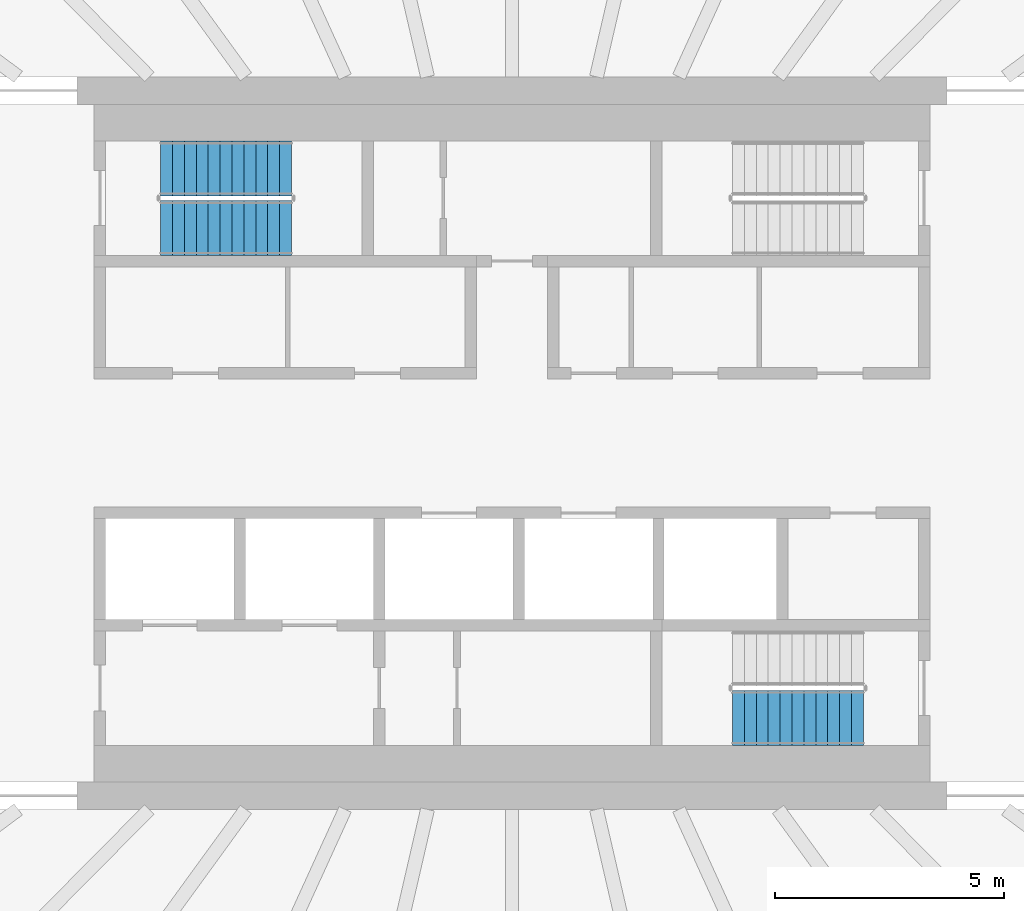
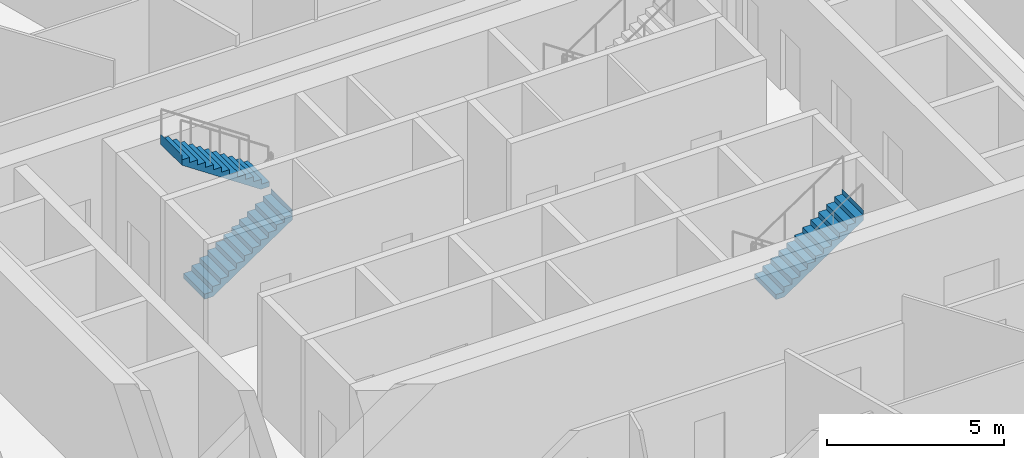
# One storey, part 18 of 26: 3 stair flights, 2 elements without a shape of their own.
"""IFC4 building model written with IfcOpenShell, lengths in metres."""

from ifc_helpers import new_model, si_unit, direction, frame, origin, place, context, subcontext, project, spatial, triangles, material, type_object, element, aggregate, save


model = new_model("IFC4")

# Units and contexts
model_context = context("Model", 3, precision=1e-05, world=origin(), true_north=direction((0.0, 1.0)))
body_context = subcontext(model_context, "Body", "Model", "MODEL_VIEW")
ifc_project = project(units=[si_unit("LENGTHUNIT", "METRE"), si_unit("AREAUNIT", "SQUARE_METRE"), si_unit("VOLUMEUNIT", "CUBIC_METRE"), si_unit("PLANEANGLEUNIT", "RADIAN"), si_unit("MASSUNIT", "GRAM", prefix="KILO")], contexts=[model_context])

# Site, building, storey
site_placement = place(None, origin())
site = spatial("IfcSite", under=ifc_project, at=site_placement, CompositionType="ELEMENT")
building_placement = place(site_placement, origin())
building = spatial("IfcBuilding", under=site, at=building_placement, Name="Sahrelin Media Tower", CompositionType="ELEMENT")
storey_placement = place(building_placement, frame((0.0, 0.0, 102.0)))
storey = spatial("IfcBuildingStorey", under=building, at=storey_placement, Name="L19", CompositionType="ELEMENT", Elevation=102.0)

# Stair, stair flights
ifc_material = material(Name="Concrete C40/50", Category="concrete")
stair_type = type_object("IfcStairType", Name="Exit stair 1200", PredefinedType="HALF_TURN_STAIR", material=ifc_material)
placement = place(storey_placement, origin())
stair_1 = element("IfcStair", 1, at=placement, inside=storey, type_object=stair_type, Name="L19 Exit stair ST1", PredefinedType="HALF_TURN_STAIR")
stair_flight_type = type_object("IfcStairFlightType", Name="Stair flight 1200", PredefinedType="STRAIGHT", material=ifc_material)
stair_flight_1_placement = place(storey_placement, frame((-7.675048828125, 4.699951171875, 0.0), z_axis=(0.0, 0.0, 1.0), x_axis=(1.0, 0.0, 0.0)))
stair_flight_1 = element("IfcStairFlight", 2, at=stair_flight_1_placement, type_object=stair_flight_type, Name="ST1 flight 1", NumberOfRisers=12, NumberOfTreads=11, PredefinedType="STRAIGHT", RiserHeight=0.175, TreadLength=0.26, context=body_context, shape_type="Tessellation", body=[
    triangles([(0.2685546875, 0.60009765625, 0.0), (0.2685546875, 0.300048828125, 0.0), (0.2685546875, 0.0, 0.0), (0.2685546875, -0.300048828125, 0.0), (0.2685546875, -0.60009765625, 0.0), (2.860107421875, 0.60009765625, 1.744384765625), (2.860107421875, 0.300048828125, 1.744384765625), (2.860107421875, 0.0, 1.744384765625), (2.860107421875, -0.300048828125, 1.744384765625), (2.860107421875, -0.60009765625, 1.744384765625), (2.860107421875, 0.60009765625, 2.10009765625), (2.860107421875, 0.300048828125, 2.10009765625), (2.860107421875, 0.0, 2.10009765625), (2.860107421875, -0.300048828125, 2.10009765625), (2.860107421875, -0.60009765625, 2.10009765625), (2.85791015625, 0.60009765625, 2.10009765625), (2.85791015625, 0.300048828125, 2.10009765625), (2.85791015625, 0.0, 2.10009765625), (2.85791015625, -0.300048828125, 2.10009765625), (2.85791015625, -0.60009765625, 2.10009765625), (2.85791015625, 0.60009765625, 1.925048828125), (2.85791015625, 0.300048828125, 1.925048828125), (2.85791015625, 0.0, 1.925048828125), (2.85791015625, -0.300048828125, 1.925048828125), (2.85791015625, -0.60009765625, 1.925048828125), (2.60009765625, 0.60009765625, 1.925048828125), (2.60009765625, 0.300048828125, 1.925048828125), (2.60009765625, 0.0, 1.925048828125), (2.60009765625, -0.300048828125, 1.925048828125), (2.60009765625, -0.60009765625, 1.925048828125), (2.60009765625, 0.60009765625, 1.75), (2.60009765625, 0.300048828125, 1.75), (2.60009765625, 0.0, 1.75), (2.60009765625, -0.300048828125, 1.75), (2.60009765625, -0.60009765625, 1.75), (2.340087890625, 0.60009765625, 1.75), (2.340087890625, 0.300048828125, 1.75), (2.340087890625, 0.0, 1.75), (2.340087890625, -0.300048828125, 1.75), (2.340087890625, -0.60009765625, 1.75), (2.340087890625, 0.60009765625, 1.574951171875), (2.340087890625, 0.300048828125, 1.574951171875), (2.340087890625, 0.0, 1.574951171875), (2.340087890625, -0.300048828125, 1.574951171875), (2.340087890625, -0.60009765625, 1.574951171875), (2.080078125, 0.60009765625, 1.574951171875), (2.080078125, 0.300048828125, 1.574951171875), (2.080078125, 0.0, 1.574951171875), (2.080078125, -0.300048828125, 1.574951171875), (2.080078125, -0.60009765625, 1.574951171875), (2.080078125, 0.60009765625, 1.39990234375), (2.080078125, 0.300048828125, 1.39990234375), (2.080078125, 0.0, 1.39990234375), (2.080078125, -0.300048828125, 1.39990234375), (2.080078125, -0.60009765625, 1.39990234375), (1.820068359375, 0.60009765625, 1.39990234375), (1.820068359375, 0.300048828125, 1.39990234375), (1.820068359375, 0.0, 1.39990234375), (1.820068359375, -0.300048828125, 1.39990234375), (1.820068359375, -0.60009765625, 1.39990234375), (1.820068359375, 0.60009765625, 1.22509765625), (1.820068359375, 0.300048828125, 1.22509765625), (1.820068359375, 0.0, 1.22509765625), (1.820068359375, -0.300048828125, 1.22509765625), (1.820068359375, -0.60009765625, 1.22509765625), (1.56005859375, 0.60009765625, 1.22509765625), (1.56005859375, 0.300048828125, 1.22509765625), (1.56005859375, 0.0, 1.22509765625), (1.56005859375, -0.300048828125, 1.22509765625), (1.56005859375, -0.60009765625, 1.22509765625), (1.56005859375, 0.60009765625, 1.050048828125), (1.56005859375, 0.300048828125, 1.050048828125), (1.56005859375, 0.0, 1.050048828125), (1.56005859375, -0.300048828125, 1.050048828125), (1.56005859375, -0.60009765625, 1.050048828125), (1.300048828125, 0.60009765625, 1.050048828125), (1.300048828125, 0.300048828125, 1.050048828125), (1.300048828125, 0.0, 1.050048828125), (1.300048828125, -0.300048828125, 1.050048828125), (1.300048828125, -0.60009765625, 1.050048828125), (1.300048828125, 0.60009765625, 0.875), (1.300048828125, 0.300048828125, 0.875), (1.300048828125, 0.0, 0.875), (1.300048828125, -0.300048828125, 0.875), (1.300048828125, -0.60009765625, 0.875), (1.0400390625, 0.60009765625, 0.875), (1.0400390625, 0.300048828125, 0.875), (1.0400390625, 0.0, 0.875), (1.0400390625, -0.300048828125, 0.875), (1.0400390625, -0.60009765625, 0.875), (1.0400390625, 0.60009765625, 0.699951171875), (1.0400390625, 0.300048828125, 0.699951171875), (1.0400390625, 0.0, 0.699951171875), (1.0400390625, -0.300048828125, 0.699951171875), (1.0400390625, -0.60009765625, 0.699951171875), (0.780029296875, 0.60009765625, 0.699951171875), (0.780029296875, 0.300048828125, 0.699951171875), (0.780029296875, 0.0, 0.699951171875), (0.780029296875, -0.300048828125, 0.699951171875), (0.780029296875, -0.60009765625, 0.699951171875), (0.780029296875, 0.60009765625, 0.52490234375), (0.780029296875, 0.300048828125, 0.52490234375), (0.780029296875, 0.0, 0.52490234375), (0.780029296875, -0.300048828125, 0.52490234375), (0.780029296875, -0.60009765625, 0.52490234375), (0.52001953125, 0.60009765625, 0.52490234375), (0.52001953125, 0.300048828125, 0.52490234375), (0.52001953125, 0.0, 0.52490234375), (0.52001953125, -0.300048828125, 0.52490234375), (0.52001953125, -0.60009765625, 0.52490234375), (0.52001953125, 0.60009765625, 0.35009765625), (0.52001953125, 0.300048828125, 0.35009765625), (0.52001953125, 0.0, 0.35009765625), (0.52001953125, -0.300048828125, 0.35009765625), (0.52001953125, -0.60009765625, 0.35009765625), (0.260009765625, 0.60009765625, 0.35009765625), (0.260009765625, 0.300048828125, 0.35009765625), (0.260009765625, 0.0, 0.35009765625), (0.260009765625, -0.300048828125, 0.35009765625), (0.260009765625, -0.60009765625, 0.35009765625), (0.260009765625, 0.60009765625, 0.175048828125), (0.260009765625, 0.300048828125, 0.175048828125), (0.260009765625, 0.0, 0.175048828125), (0.260009765625, -0.300048828125, 0.175048828125), (0.260009765625, -0.60009765625, 0.175048828125), (0.0, 0.60009765625, 0.175048828125), (0.0, 0.300048828125, 0.175048828125), (0.0, 0.0, 0.175048828125), (0.0, -0.300048828125, 0.175048828125), (0.0, -0.60009765625, 0.175048828125), (0.0, 0.60009765625, 0.0), (0.0, 0.300048828125, 0.0), (0.0, 0.0, 0.0), (0.0, -0.300048828125, 0.0), (0.0, -0.60009765625, 0.0)], [[1, 6, 7], [1, 7, 2], [2, 7, 8], [2, 8, 3], [3, 8, 9], [3, 9, 4], [4, 9, 10], [4, 10, 5], [6, 11, 12], [6, 12, 7], [7, 12, 13], [7, 13, 8], [8, 13, 14], [8, 14, 9], [9, 14, 15], [9, 15, 10], [11, 16, 17], [11, 17, 12], [12, 17, 18], [12, 18, 13], [13, 18, 19], [13, 19, 14], [14, 19, 20], [14, 20, 15], [16, 21, 22], [16, 22, 17], [17, 22, 23], [17, 23, 18], [18, 23, 24], [18, 24, 19], [19, 24, 25], [19, 25, 20], [21, 26, 27], [21, 27, 22], [22, 27, 28], [22, 28, 23], [23, 28, 29], [23, 29, 24], [24, 29, 30], [24, 30, 25], [26, 31, 32], [26, 32, 27], [27, 32, 33], [27, 33, 28], [28, 33, 34], [28, 34, 29], [29, 34, 35], [29, 35, 30], [31, 36, 37], [31, 37, 32], [32, 37, 38], [32, 38, 33], [33, 38, 39], [33, 39, 34], [34, 39, 40], [34, 40, 35], [36, 41, 42], [36, 42, 37], [37, 42, 43], [37, 43, 38], [38, 43, 44], [38, 44, 39], [39, 44, 45], [39, 45, 40], [41, 46, 47], [41, 47, 42], [42, 47, 48], [42, 48, 43], [43, 48, 49], [43, 49, 44], [44, 49, 50], [44, 50, 45], [46, 51, 52], [46, 52, 47], [47, 52, 53], [47, 53, 48], [48, 53, 54], [48, 54, 49], [49, 54, 55], [49, 55, 50], [51, 56, 57], [51, 57, 52], [52, 57, 58], [52, 58, 53], [53, 58, 59], [53, 59, 54], [54, 59, 60], [54, 60, 55], [56, 61, 62], [56, 62, 57], [57, 62, 63], [57, 63, 58], [58, 63, 64], [58, 64, 59], [59, 64, 65], [59, 65, 60], [61, 66, 67], [61, 67, 62], [62, 67, 68], [62, 68, 63], [63, 68, 69], [63, 69, 64], [64, 69, 70], [64, 70, 65], [66, 71, 72], [66, 72, 67], [67, 72, 73], [67, 73, 68], [68, 73, 74], [68, 74, 69], [69, 74, 75], [69, 75, 70], [71, 76, 77], [71, 77, 72], [72, 77, 78], [72, 78, 73], [73, 78, 79], [73, 79, 74], [74, 79, 80], [74, 80, 75], [76, 81, 82], [76, 82, 77], [77, 82, 83], [77, 83, 78], [78, 83, 84], [78, 84, 79], [79, 84, 85], [79, 85, 80], [81, 86, 87], [81, 87, 82], [82, 87, 88], [82, 88, 83], [83, 88, 89], [83, 89, 84], [84, 89, 90], [84, 90, 85], [86, 91, 92], [86, 92, 87], [87, 92, 93], [87, 93, 88], [88, 93, 94], [88, 94, 89], [89, 94, 95], [89, 95, 90], [91, 96, 97], [91, 97, 92], [92, 97, 98], [92, 98, 93], [93, 98, 99], [93, 99, 94], [94, 99, 100], [94, 100, 95], [96, 101, 102], [96, 102, 97], [97, 102, 103], [97, 103, 98], [98, 103, 104], [98, 104, 99], [99, 104, 105], [99, 105, 100], [101, 106, 107], [101, 107, 102], [102, 107, 108], [102, 108, 103], [103, 108, 109], [103, 109, 104], [104, 109, 110], [104, 110, 105], [106, 111, 112], [106, 112, 107], [107, 112, 113], [107, 113, 108], [108, 113, 114], [108, 114, 109], [109, 114, 115], [109, 115, 110], [111, 116, 117], [111, 117, 112], [112, 117, 118], [112, 118, 113], [113, 118, 119], [113, 119, 114], [114, 119, 120], [114, 120, 115], [116, 121, 122], [116, 122, 117], [117, 122, 123], [117, 123, 118], [118, 123, 124], [118, 124, 119], [119, 124, 125], [119, 125, 120], [121, 126, 127], [121, 127, 122], [122, 127, 128], [122, 128, 123], [123, 128, 129], [123, 129, 124], [124, 129, 130], [124, 130, 125], [126, 131, 132], [126, 132, 127], [127, 132, 133], [127, 133, 128], [128, 133, 134], [128, 134, 129], [129, 134, 135], [129, 135, 130], [131, 1, 2], [131, 2, 132], [132, 2, 3], [132, 3, 133], [133, 3, 4], [133, 4, 134], [134, 4, 5], [134, 5, 135], [125, 130, 135], [121, 131, 126], [125, 115, 120], [121, 116, 111], [115, 105, 110], [111, 106, 101], [105, 95, 100], [101, 96, 91], [95, 85, 90], [91, 86, 81], [85, 75, 80], [81, 76, 71], [75, 65, 70], [71, 66, 61], [65, 55, 60], [61, 56, 51], [55, 45, 50], [51, 46, 41], [45, 35, 40], [41, 36, 31], [35, 25, 30], [31, 26, 21], [25, 15, 20], [21, 16, 11], [135, 5, 125], [131, 121, 1], [95, 105, 5], [91, 1, 101], [5, 10, 75], [1, 71, 6], [10, 35, 45], [6, 41, 31], [25, 10, 15], [21, 11, 6], [115, 125, 5], [111, 1, 121], [75, 85, 5], [71, 1, 81], [35, 10, 25], [31, 21, 6], [105, 115, 5], [101, 1, 111], [45, 55, 10], [41, 6, 51], [85, 95, 5], [81, 1, 91], [65, 10, 55], [61, 51, 6], [10, 65, 75], [6, 71, 61]], closed=True),
])
stair_flight_2_placement = place(storey_placement, frame((-4.81494140625, 6.0, 2.10009765625), z_axis=(0.0, 0.0, 1.0), x_axis=(-1.0, 0.0, 0.0)))
stair_flight_2 = element("IfcStairFlight", 3, at=stair_flight_2_placement, type_object=stair_flight_type, Name="ST1 flight 2", NumberOfRisers=12, NumberOfTreads=11, PredefinedType="STRAIGHT", RiserHeight=0.175, TreadLength=0.26, context=body_context, shape_type="Tessellation", body=[
    triangles([(0.2685546875, 0.60009765625, 0.0), (0.2685546875, 0.300048828125, 0.0), (0.2685546875, 0.0, 0.0), (0.2685546875, -0.300048828125, 0.0), (0.2685546875, -0.60009765625, 0.0), (2.860107421875, 0.60009765625, 1.744384765625), (2.860107421875, 0.300048828125, 1.744384765625), (2.860107421875, 0.0, 1.744384765625), (2.860107421875, -0.300048828125, 1.744384765625), (2.860107421875, -0.60009765625, 1.744384765625), (2.860107421875, 0.60009765625, 2.10009765625), (2.860107421875, 0.300048828125, 2.10009765625), (2.860107421875, 0.0, 2.10009765625), (2.860107421875, -0.300048828125, 2.10009765625), (2.860107421875, -0.60009765625, 2.10009765625), (2.85791015625, 0.60009765625, 2.10009765625), (2.85791015625, 0.300048828125, 2.10009765625), (2.85791015625, 0.0, 2.10009765625), (2.85791015625, -0.300048828125, 2.10009765625), (2.85791015625, -0.60009765625, 2.10009765625), (2.85791015625, 0.60009765625, 1.925048828125), (2.85791015625, 0.300048828125, 1.925048828125), (2.85791015625, 0.0, 1.925048828125), (2.85791015625, -0.300048828125, 1.925048828125), (2.85791015625, -0.60009765625, 1.925048828125), (2.60009765625, 0.60009765625, 1.925048828125), (2.60009765625, 0.300048828125, 1.925048828125), (2.60009765625, 0.0, 1.925048828125), (2.60009765625, -0.300048828125, 1.925048828125), (2.60009765625, -0.60009765625, 1.925048828125), (2.60009765625, 0.60009765625, 1.75), (2.60009765625, 0.300048828125, 1.75), (2.60009765625, 0.0, 1.75), (2.60009765625, -0.300048828125, 1.75), (2.60009765625, -0.60009765625, 1.75), (2.340087890625, 0.60009765625, 1.75), (2.340087890625, 0.300048828125, 1.75), (2.340087890625, 0.0, 1.75), (2.340087890625, -0.300048828125, 1.75), (2.340087890625, -0.60009765625, 1.75), (2.340087890625, 0.60009765625, 1.574951171875), (2.340087890625, 0.300048828125, 1.574951171875), (2.340087890625, 0.0, 1.574951171875), (2.340087890625, -0.300048828125, 1.574951171875), (2.340087890625, -0.60009765625, 1.574951171875), (2.080078125, 0.60009765625, 1.574951171875), (2.080078125, 0.300048828125, 1.574951171875), (2.080078125, 0.0, 1.574951171875), (2.080078125, -0.300048828125, 1.574951171875), (2.080078125, -0.60009765625, 1.574951171875), (2.080078125, 0.60009765625, 1.39990234375), (2.080078125, 0.300048828125, 1.39990234375), (2.080078125, 0.0, 1.39990234375), (2.080078125, -0.300048828125, 1.39990234375), (2.080078125, -0.60009765625, 1.39990234375), (1.820068359375, 0.60009765625, 1.39990234375), (1.820068359375, 0.300048828125, 1.39990234375), (1.820068359375, 0.0, 1.39990234375), (1.820068359375, -0.300048828125, 1.39990234375), (1.820068359375, -0.60009765625, 1.39990234375), (1.820068359375, 0.60009765625, 1.22509765625), (1.820068359375, 0.300048828125, 1.22509765625), (1.820068359375, 0.0, 1.22509765625), (1.820068359375, -0.300048828125, 1.22509765625), (1.820068359375, -0.60009765625, 1.22509765625), (1.56005859375, 0.60009765625, 1.22509765625), (1.56005859375, 0.300048828125, 1.22509765625), (1.56005859375, 0.0, 1.22509765625), (1.56005859375, -0.300048828125, 1.22509765625), (1.56005859375, -0.60009765625, 1.22509765625), (1.56005859375, 0.60009765625, 1.050048828125), (1.56005859375, 0.300048828125, 1.050048828125), (1.56005859375, 0.0, 1.050048828125), (1.56005859375, -0.300048828125, 1.050048828125), (1.56005859375, -0.60009765625, 1.050048828125), (1.300048828125, 0.60009765625, 1.050048828125), (1.300048828125, 0.300048828125, 1.050048828125), (1.300048828125, 0.0, 1.050048828125), (1.300048828125, -0.300048828125, 1.050048828125), (1.300048828125, -0.60009765625, 1.050048828125), (1.300048828125, 0.60009765625, 0.875), (1.300048828125, 0.300048828125, 0.875), (1.300048828125, 0.0, 0.875), (1.300048828125, -0.300048828125, 0.875), (1.300048828125, -0.60009765625, 0.875), (1.0400390625, 0.60009765625, 0.875), (1.0400390625, 0.300048828125, 0.875), (1.0400390625, 0.0, 0.875), (1.0400390625, -0.300048828125, 0.875), (1.0400390625, -0.60009765625, 0.875), (1.0400390625, 0.60009765625, 0.699951171875), (1.0400390625, 0.300048828125, 0.699951171875), (1.0400390625, 0.0, 0.699951171875), (1.0400390625, -0.300048828125, 0.699951171875), (1.0400390625, -0.60009765625, 0.699951171875), (0.780029296875, 0.60009765625, 0.699951171875), (0.780029296875, 0.300048828125, 0.699951171875), (0.780029296875, 0.0, 0.699951171875), (0.780029296875, -0.300048828125, 0.699951171875), (0.780029296875, -0.60009765625, 0.699951171875), (0.780029296875, 0.60009765625, 0.52490234375), (0.780029296875, 0.300048828125, 0.52490234375), (0.780029296875, 0.0, 0.52490234375), (0.780029296875, -0.300048828125, 0.52490234375), (0.780029296875, -0.60009765625, 0.52490234375), (0.52001953125, 0.60009765625, 0.52490234375), (0.52001953125, 0.300048828125, 0.52490234375), (0.52001953125, 0.0, 0.52490234375), (0.52001953125, -0.300048828125, 0.52490234375), (0.52001953125, -0.60009765625, 0.52490234375), (0.52001953125, 0.60009765625, 0.35009765625), (0.52001953125, 0.300048828125, 0.35009765625), (0.52001953125, 0.0, 0.35009765625), (0.52001953125, -0.300048828125, 0.35009765625), (0.52001953125, -0.60009765625, 0.35009765625), (0.260009765625, 0.60009765625, 0.35009765625), (0.260009765625, 0.300048828125, 0.35009765625), (0.260009765625, 0.0, 0.35009765625), (0.260009765625, -0.300048828125, 0.35009765625), (0.260009765625, -0.60009765625, 0.35009765625), (0.260009765625, 0.60009765625, 0.175048828125), (0.260009765625, 0.300048828125, 0.175048828125), (0.260009765625, 0.0, 0.175048828125), (0.260009765625, -0.300048828125, 0.175048828125), (0.260009765625, -0.60009765625, 0.175048828125), (0.0, 0.60009765625, 0.175048828125), (0.0, 0.300048828125, 0.175048828125), (0.0, 0.0, 0.175048828125), (0.0, -0.300048828125, 0.175048828125), (0.0, -0.60009765625, 0.175048828125), (0.0, 0.60009765625, 0.0), (0.0, 0.300048828125, 0.0), (0.0, 0.0, 0.0), (0.0, -0.300048828125, 0.0), (0.0, -0.60009765625, 0.0)], [[1, 6, 7], [1, 7, 2], [2, 7, 8], [2, 8, 3], [3, 8, 9], [3, 9, 4], [4, 9, 10], [4, 10, 5], [6, 11, 12], [6, 12, 7], [7, 12, 13], [7, 13, 8], [8, 13, 14], [8, 14, 9], [9, 14, 15], [9, 15, 10], [11, 16, 17], [11, 17, 12], [12, 17, 18], [12, 18, 13], [13, 18, 19], [13, 19, 14], [14, 19, 20], [14, 20, 15], [16, 21, 22], [16, 22, 17], [17, 22, 23], [17, 23, 18], [18, 23, 24], [18, 24, 19], [19, 24, 25], [19, 25, 20], [21, 26, 27], [21, 27, 22], [22, 27, 28], [22, 28, 23], [23, 28, 29], [23, 29, 24], [24, 29, 30], [24, 30, 25], [26, 31, 32], [26, 32, 27], [27, 32, 33], [27, 33, 28], [28, 33, 34], [28, 34, 29], [29, 34, 35], [29, 35, 30], [31, 36, 37], [31, 37, 32], [32, 37, 38], [32, 38, 33], [33, 38, 39], [33, 39, 34], [34, 39, 40], [34, 40, 35], [36, 41, 42], [36, 42, 37], [37, 42, 43], [37, 43, 38], [38, 43, 44], [38, 44, 39], [39, 44, 45], [39, 45, 40], [41, 46, 47], [41, 47, 42], [42, 47, 48], [42, 48, 43], [43, 48, 49], [43, 49, 44], [44, 49, 50], [44, 50, 45], [46, 51, 52], [46, 52, 47], [47, 52, 53], [47, 53, 48], [48, 53, 54], [48, 54, 49], [49, 54, 55], [49, 55, 50], [51, 56, 57], [51, 57, 52], [52, 57, 58], [52, 58, 53], [53, 58, 59], [53, 59, 54], [54, 59, 60], [54, 60, 55], [56, 61, 62], [56, 62, 57], [57, 62, 63], [57, 63, 58], [58, 63, 64], [58, 64, 59], [59, 64, 65], [59, 65, 60], [61, 66, 67], [61, 67, 62], [62, 67, 68], [62, 68, 63], [63, 68, 69], [63, 69, 64], [64, 69, 70], [64, 70, 65], [66, 71, 72], [66, 72, 67], [67, 72, 73], [67, 73, 68], [68, 73, 74], [68, 74, 69], [69, 74, 75], [69, 75, 70], [71, 76, 77], [71, 77, 72], [72, 77, 78], [72, 78, 73], [73, 78, 79], [73, 79, 74], [74, 79, 80], [74, 80, 75], [76, 81, 82], [76, 82, 77], [77, 82, 83], [77, 83, 78], [78, 83, 84], [78, 84, 79], [79, 84, 85], [79, 85, 80], [81, 86, 87], [81, 87, 82], [82, 87, 88], [82, 88, 83], [83, 88, 89], [83, 89, 84], [84, 89, 90], [84, 90, 85], [86, 91, 92], [86, 92, 87], [87, 92, 93], [87, 93, 88], [88, 93, 94], [88, 94, 89], [89, 94, 95], [89, 95, 90], [91, 96, 97], [91, 97, 92], [92, 97, 98], [92, 98, 93], [93, 98, 99], [93, 99, 94], [94, 99, 100], [94, 100, 95], [96, 101, 102], [96, 102, 97], [97, 102, 103], [97, 103, 98], [98, 103, 104], [98, 104, 99], [99, 104, 105], [99, 105, 100], [101, 106, 107], [101, 107, 102], [102, 107, 108], [102, 108, 103], [103, 108, 109], [103, 109, 104], [104, 109, 110], [104, 110, 105], [106, 111, 112], [106, 112, 107], [107, 112, 113], [107, 113, 108], [108, 113, 114], [108, 114, 109], [109, 114, 115], [109, 115, 110], [111, 116, 117], [111, 117, 112], [112, 117, 118], [112, 118, 113], [113, 118, 119], [113, 119, 114], [114, 119, 120], [114, 120, 115], [116, 121, 122], [116, 122, 117], [117, 122, 123], [117, 123, 118], [118, 123, 124], [118, 124, 119], [119, 124, 125], [119, 125, 120], [121, 126, 127], [121, 127, 122], [122, 127, 128], [122, 128, 123], [123, 128, 129], [123, 129, 124], [124, 129, 130], [124, 130, 125], [126, 131, 132], [126, 132, 127], [127, 132, 133], [127, 133, 128], [128, 133, 134], [128, 134, 129], [129, 134, 135], [129, 135, 130], [131, 1, 2], [131, 2, 132], [132, 2, 3], [132, 3, 133], [133, 3, 4], [133, 4, 134], [134, 4, 5], [134, 5, 135], [125, 130, 135], [121, 131, 126], [125, 115, 120], [121, 116, 111], [115, 105, 110], [111, 106, 101], [105, 95, 100], [101, 96, 91], [95, 85, 90], [91, 86, 81], [85, 75, 80], [81, 76, 71], [75, 65, 70], [71, 66, 61], [65, 55, 60], [61, 56, 51], [55, 45, 50], [51, 46, 41], [45, 35, 40], [41, 36, 31], [35, 25, 30], [31, 26, 21], [25, 15, 20], [21, 16, 11], [135, 5, 125], [131, 121, 1], [95, 105, 5], [91, 1, 101], [5, 10, 75], [1, 71, 6], [10, 35, 45], [6, 41, 31], [25, 10, 15], [21, 11, 6], [115, 125, 5], [111, 1, 121], [75, 85, 5], [71, 1, 81], [35, 10, 25], [31, 21, 6], [105, 115, 5], [101, 1, 111], [45, 55, 10], [41, 6, 51], [85, 95, 5], [81, 1, 91], [65, 10, 55], [61, 51, 6], [10, 65, 75], [6, 71, 61]], closed=True),
])
aggregate(stair_1, [stair_flight_1, stair_flight_2])

# Stair, stair flight
stair_2 = element("IfcStair", 4, at=placement, inside=storey, type_object=stair_type, Name="L19 Exit stair ST2", PredefinedType="HALF_TURN_STAIR")
stair_flight_3_placement = place(storey_placement, frame((4.81494140625, -6.0, 2.10009765625), z_axis=(0.0, 0.0, 1.0), x_axis=(1.0, 0.0, 0.0)))
stair_flight_3 = element("IfcStairFlight", 5, at=stair_flight_3_placement, type_object=stair_flight_type, Name="ST2 flight 2", NumberOfRisers=12, NumberOfTreads=11, PredefinedType="STRAIGHT", RiserHeight=0.175, TreadLength=0.26, context=body_context, shape_type="Tessellation", body=[
    triangles([(0.2685546875, 0.60009765625, 0.0), (0.2685546875, 0.300048828125, 0.0), (0.2685546875, 0.0, 0.0), (0.2685546875, -0.300048828125, 0.0), (0.2685546875, -0.60009765625, 0.0), (2.860107421875, 0.60009765625, 1.744384765625), (2.860107421875, 0.300048828125, 1.744384765625), (2.860107421875, 0.0, 1.744384765625), (2.860107421875, -0.300048828125, 1.744384765625), (2.860107421875, -0.60009765625, 1.744384765625), (2.860107421875, 0.60009765625, 2.10009765625), (2.860107421875, 0.300048828125, 2.10009765625), (2.860107421875, 0.0, 2.10009765625), (2.860107421875, -0.300048828125, 2.10009765625), (2.860107421875, -0.60009765625, 2.10009765625), (2.85791015625, 0.60009765625, 2.10009765625), (2.85791015625, 0.300048828125, 2.10009765625), (2.85791015625, 0.0, 2.10009765625), (2.85791015625, -0.300048828125, 2.10009765625), (2.85791015625, -0.60009765625, 2.10009765625), (2.85791015625, 0.60009765625, 1.925048828125), (2.85791015625, 0.300048828125, 1.925048828125), (2.85791015625, 0.0, 1.925048828125), (2.85791015625, -0.300048828125, 1.925048828125), (2.85791015625, -0.60009765625, 1.925048828125), (2.60009765625, 0.60009765625, 1.925048828125), (2.60009765625, 0.300048828125, 1.925048828125), (2.60009765625, 0.0, 1.925048828125), (2.60009765625, -0.300048828125, 1.925048828125), (2.60009765625, -0.60009765625, 1.925048828125), (2.60009765625, 0.60009765625, 1.75), (2.60009765625, 0.300048828125, 1.75), (2.60009765625, 0.0, 1.75), (2.60009765625, -0.300048828125, 1.75), (2.60009765625, -0.60009765625, 1.75), (2.340087890625, 0.60009765625, 1.75), (2.340087890625, 0.300048828125, 1.75), (2.340087890625, 0.0, 1.75), (2.340087890625, -0.300048828125, 1.75), (2.340087890625, -0.60009765625, 1.75), (2.340087890625, 0.60009765625, 1.574951171875), (2.340087890625, 0.300048828125, 1.574951171875), (2.340087890625, 0.0, 1.574951171875), (2.340087890625, -0.300048828125, 1.574951171875), (2.340087890625, -0.60009765625, 1.574951171875), (2.080078125, 0.60009765625, 1.574951171875), (2.080078125, 0.300048828125, 1.574951171875), (2.080078125, 0.0, 1.574951171875), (2.080078125, -0.300048828125, 1.574951171875), (2.080078125, -0.60009765625, 1.574951171875), (2.080078125, 0.60009765625, 1.39990234375), (2.080078125, 0.300048828125, 1.39990234375), (2.080078125, 0.0, 1.39990234375), (2.080078125, -0.300048828125, 1.39990234375), (2.080078125, -0.60009765625, 1.39990234375), (1.820068359375, 0.60009765625, 1.39990234375), (1.820068359375, 0.300048828125, 1.39990234375), (1.820068359375, 0.0, 1.39990234375), (1.820068359375, -0.300048828125, 1.39990234375), (1.820068359375, -0.60009765625, 1.39990234375), (1.820068359375, 0.60009765625, 1.22509765625), (1.820068359375, 0.300048828125, 1.22509765625), (1.820068359375, 0.0, 1.22509765625), (1.820068359375, -0.300048828125, 1.22509765625), (1.820068359375, -0.60009765625, 1.22509765625), (1.56005859375, 0.60009765625, 1.22509765625), (1.56005859375, 0.300048828125, 1.22509765625), (1.56005859375, 0.0, 1.22509765625), (1.56005859375, -0.300048828125, 1.22509765625), (1.56005859375, -0.60009765625, 1.22509765625), (1.56005859375, 0.60009765625, 1.050048828125), (1.56005859375, 0.300048828125, 1.050048828125), (1.56005859375, 0.0, 1.050048828125), (1.56005859375, -0.300048828125, 1.050048828125), (1.56005859375, -0.60009765625, 1.050048828125), (1.300048828125, 0.60009765625, 1.050048828125), (1.300048828125, 0.300048828125, 1.050048828125), (1.300048828125, 0.0, 1.050048828125), (1.300048828125, -0.300048828125, 1.050048828125), (1.300048828125, -0.60009765625, 1.050048828125), (1.300048828125, 0.60009765625, 0.875), (1.300048828125, 0.300048828125, 0.875), (1.300048828125, 0.0, 0.875), (1.300048828125, -0.300048828125, 0.875), (1.300048828125, -0.60009765625, 0.875), (1.0400390625, 0.60009765625, 0.875), (1.0400390625, 0.300048828125, 0.875), (1.0400390625, 0.0, 0.875), (1.0400390625, -0.300048828125, 0.875), (1.0400390625, -0.60009765625, 0.875), (1.0400390625, 0.60009765625, 0.699951171875), (1.0400390625, 0.300048828125, 0.699951171875), (1.0400390625, 0.0, 0.699951171875), (1.0400390625, -0.300048828125, 0.699951171875), (1.0400390625, -0.60009765625, 0.699951171875), (0.780029296875, 0.60009765625, 0.699951171875), (0.780029296875, 0.300048828125, 0.699951171875), (0.780029296875, 0.0, 0.699951171875), (0.780029296875, -0.300048828125, 0.699951171875), (0.780029296875, -0.60009765625, 0.699951171875), (0.780029296875, 0.60009765625, 0.52490234375), (0.780029296875, 0.300048828125, 0.52490234375), (0.780029296875, 0.0, 0.52490234375), (0.780029296875, -0.300048828125, 0.52490234375), (0.780029296875, -0.60009765625, 0.52490234375), (0.52001953125, 0.60009765625, 0.52490234375), (0.52001953125, 0.300048828125, 0.52490234375), (0.52001953125, 0.0, 0.52490234375), (0.52001953125, -0.300048828125, 0.52490234375), (0.52001953125, -0.60009765625, 0.52490234375), (0.52001953125, 0.60009765625, 0.35009765625), (0.52001953125, 0.300048828125, 0.35009765625), (0.52001953125, 0.0, 0.35009765625), (0.52001953125, -0.300048828125, 0.35009765625), (0.52001953125, -0.60009765625, 0.35009765625), (0.260009765625, 0.60009765625, 0.35009765625), (0.260009765625, 0.300048828125, 0.35009765625), (0.260009765625, 0.0, 0.35009765625), (0.260009765625, -0.300048828125, 0.35009765625), (0.260009765625, -0.60009765625, 0.35009765625), (0.260009765625, 0.60009765625, 0.175048828125), (0.260009765625, 0.300048828125, 0.175048828125), (0.260009765625, 0.0, 0.175048828125), (0.260009765625, -0.300048828125, 0.175048828125), (0.260009765625, -0.60009765625, 0.175048828125), (0.0, 0.60009765625, 0.175048828125), (0.0, 0.300048828125, 0.175048828125), (0.0, 0.0, 0.175048828125), (0.0, -0.300048828125, 0.175048828125), (0.0, -0.60009765625, 0.175048828125), (0.0, 0.60009765625, 0.0), (0.0, 0.300048828125, 0.0), (0.0, 0.0, 0.0), (0.0, -0.300048828125, 0.0), (0.0, -0.60009765625, 0.0)], [[1, 6, 7], [1, 7, 2], [2, 7, 8], [2, 8, 3], [3, 8, 9], [3, 9, 4], [4, 9, 10], [4, 10, 5], [6, 11, 12], [6, 12, 7], [7, 12, 13], [7, 13, 8], [8, 13, 14], [8, 14, 9], [9, 14, 15], [9, 15, 10], [11, 16, 17], [11, 17, 12], [12, 17, 18], [12, 18, 13], [13, 18, 19], [13, 19, 14], [14, 19, 20], [14, 20, 15], [16, 21, 22], [16, 22, 17], [17, 22, 23], [17, 23, 18], [18, 23, 24], [18, 24, 19], [19, 24, 25], [19, 25, 20], [21, 26, 27], [21, 27, 22], [22, 27, 28], [22, 28, 23], [23, 28, 29], [23, 29, 24], [24, 29, 30], [24, 30, 25], [26, 31, 32], [26, 32, 27], [27, 32, 33], [27, 33, 28], [28, 33, 34], [28, 34, 29], [29, 34, 35], [29, 35, 30], [31, 36, 37], [31, 37, 32], [32, 37, 38], [32, 38, 33], [33, 38, 39], [33, 39, 34], [34, 39, 40], [34, 40, 35], [36, 41, 42], [36, 42, 37], [37, 42, 43], [37, 43, 38], [38, 43, 44], [38, 44, 39], [39, 44, 45], [39, 45, 40], [41, 46, 47], [41, 47, 42], [42, 47, 48], [42, 48, 43], [43, 48, 49], [43, 49, 44], [44, 49, 50], [44, 50, 45], [46, 51, 52], [46, 52, 47], [47, 52, 53], [47, 53, 48], [48, 53, 54], [48, 54, 49], [49, 54, 55], [49, 55, 50], [51, 56, 57], [51, 57, 52], [52, 57, 58], [52, 58, 53], [53, 58, 59], [53, 59, 54], [54, 59, 60], [54, 60, 55], [56, 61, 62], [56, 62, 57], [57, 62, 63], [57, 63, 58], [58, 63, 64], [58, 64, 59], [59, 64, 65], [59, 65, 60], [61, 66, 67], [61, 67, 62], [62, 67, 68], [62, 68, 63], [63, 68, 69], [63, 69, 64], [64, 69, 70], [64, 70, 65], [66, 71, 72], [66, 72, 67], [67, 72, 73], [67, 73, 68], [68, 73, 74], [68, 74, 69], [69, 74, 75], [69, 75, 70], [71, 76, 77], [71, 77, 72], [72, 77, 78], [72, 78, 73], [73, 78, 79], [73, 79, 74], [74, 79, 80], [74, 80, 75], [76, 81, 82], [76, 82, 77], [77, 82, 83], [77, 83, 78], [78, 83, 84], [78, 84, 79], [79, 84, 85], [79, 85, 80], [81, 86, 87], [81, 87, 82], [82, 87, 88], [82, 88, 83], [83, 88, 89], [83, 89, 84], [84, 89, 90], [84, 90, 85], [86, 91, 92], [86, 92, 87], [87, 92, 93], [87, 93, 88], [88, 93, 94], [88, 94, 89], [89, 94, 95], [89, 95, 90], [91, 96, 97], [91, 97, 92], [92, 97, 98], [92, 98, 93], [93, 98, 99], [93, 99, 94], [94, 99, 100], [94, 100, 95], [96, 101, 102], [96, 102, 97], [97, 102, 103], [97, 103, 98], [98, 103, 104], [98, 104, 99], [99, 104, 105], [99, 105, 100], [101, 106, 107], [101, 107, 102], [102, 107, 108], [102, 108, 103], [103, 108, 109], [103, 109, 104], [104, 109, 110], [104, 110, 105], [106, 111, 112], [106, 112, 107], [107, 112, 113], [107, 113, 108], [108, 113, 114], [108, 114, 109], [109, 114, 115], [109, 115, 110], [111, 116, 117], [111, 117, 112], [112, 117, 118], [112, 118, 113], [113, 118, 119], [113, 119, 114], [114, 119, 120], [114, 120, 115], [116, 121, 122], [116, 122, 117], [117, 122, 123], [117, 123, 118], [118, 123, 124], [118, 124, 119], [119, 124, 125], [119, 125, 120], [121, 126, 127], [121, 127, 122], [122, 127, 128], [122, 128, 123], [123, 128, 129], [123, 129, 124], [124, 129, 130], [124, 130, 125], [126, 131, 132], [126, 132, 127], [127, 132, 133], [127, 133, 128], [128, 133, 134], [128, 134, 129], [129, 134, 135], [129, 135, 130], [131, 1, 2], [131, 2, 132], [132, 2, 3], [132, 3, 133], [133, 3, 4], [133, 4, 134], [134, 4, 5], [134, 5, 135], [125, 130, 135], [121, 131, 126], [125, 115, 120], [121, 116, 111], [115, 105, 110], [111, 106, 101], [105, 95, 100], [101, 96, 91], [95, 85, 90], [91, 86, 81], [85, 75, 80], [81, 76, 71], [75, 65, 70], [71, 66, 61], [65, 55, 60], [61, 56, 51], [55, 45, 50], [51, 46, 41], [45, 35, 40], [41, 36, 31], [35, 25, 30], [31, 26, 21], [25, 15, 20], [21, 16, 11], [135, 5, 125], [131, 121, 1], [95, 105, 5], [91, 1, 101], [5, 10, 75], [1, 71, 6], [10, 35, 45], [6, 41, 31], [25, 10, 15], [21, 11, 6], [115, 125, 5], [111, 1, 121], [75, 85, 5], [71, 1, 81], [35, 10, 25], [31, 21, 6], [105, 115, 5], [101, 1, 111], [45, 55, 10], [41, 6, 51], [85, 95, 5], [81, 1, 91], [65, 10, 55], [61, 51, 6], [10, 65, 75], [6, 71, 61]], closed=True),
])
aggregate(stair_2, [stair_flight_3])

save(model, "model.ifc")
